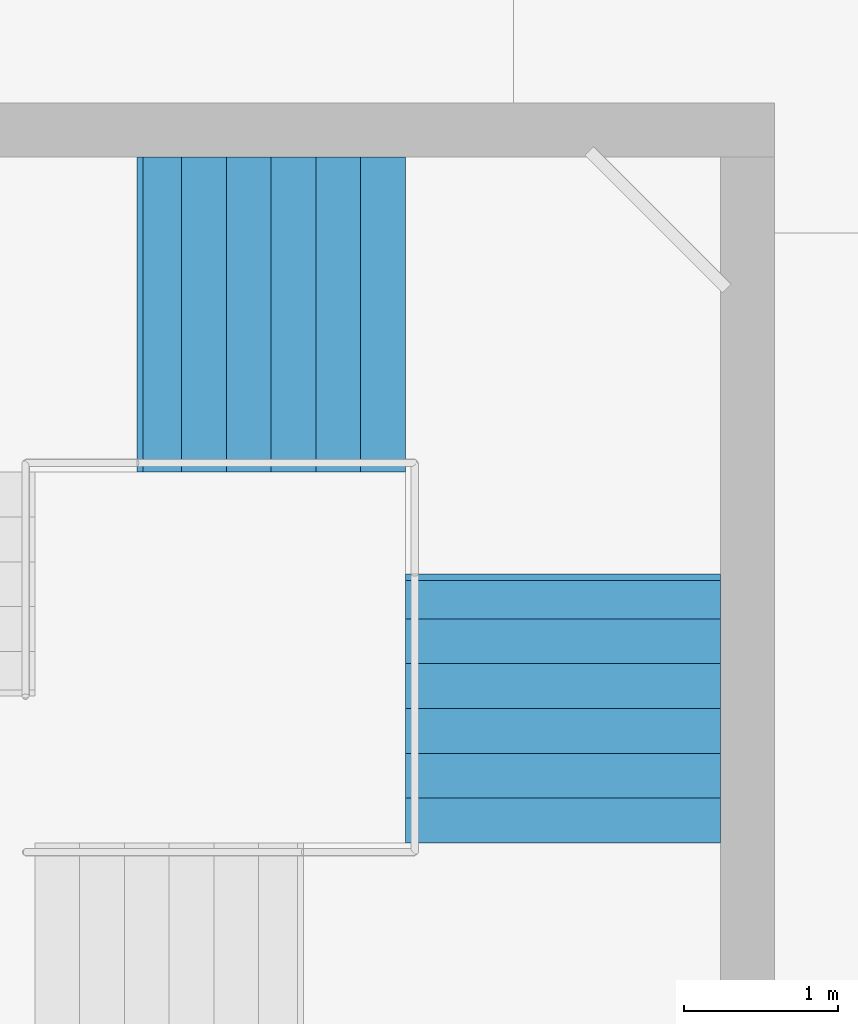
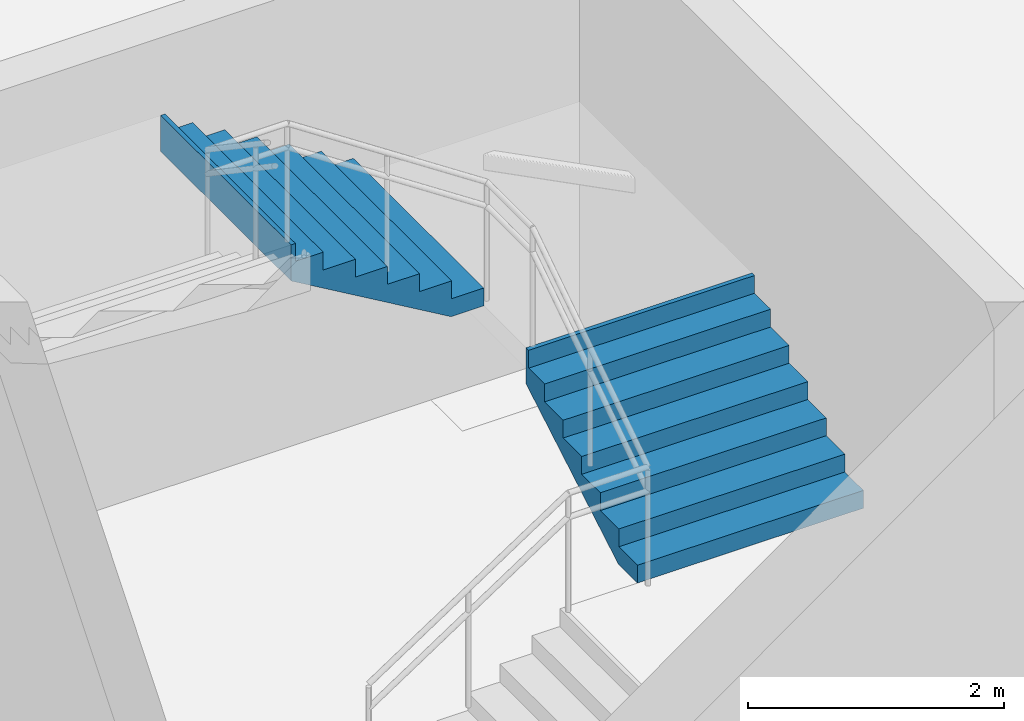
# One storey, part 22 of 30: 2 stair flights, 1 element without a shape of its own.
"""IFC4 building model written with IfcOpenShell, lengths in metres."""

import ifcopenshell
import ifcopenshell.guid

model = None  # the IFC model being written
_history = None  # IfcOwnerHistory: only IFC2X3 demands one
_inside = {}  # id of a spatial element -> (the spatial element, [elements in it])
_under = {}  # id of a project, library or spatial element -> (it, [spatial elements below it])
_declared = {}  # id of a project -> (the project, [libraries it declares])
_typed = {}  # id of a type object -> (the type object, [elements of that type])
_made_of = {}  # id of a material, layer set ... -> (it, [elements and type objects made of it])


def new_model(schema):
    """Start an empty IFC model of exactly this schema.

    Asked for "IFC4X3", IfcOpenShell would pick the latest addendum, in which some entities
    have other attributes; the version numbers below select the first issue.
    IFC2X3 requires an IfcOwnerHistory on every rooted entity: one is made here for all.
    """
    global model, _history
    if schema == "IFC4X3":
        model = ifcopenshell.file(schema_version=(4, 3, 0, 0))
    else:
        model = ifcopenshell.file(schema=schema)
    _inside.clear()
    _under.clear()
    _declared.clear()
    _typed.clear()
    _made_of.clear()
    _history = None
    if model.schema == "IFC2X3":
        org = make("IfcOrganization", Name="unknown")
        user = make(
            "IfcPersonAndOrganization",
            ThePerson=make("IfcPerson", FamilyName="unknown"),
            TheOrganization=org,
        )
        app = make(
            "IfcApplication",
            ApplicationDeveloper=org,
            Version="unknown",
            ApplicationFullName="unknown",
            ApplicationIdentifier="unknown",
        )
        _history = make(
            "IfcOwnerHistory",
            OwningUser=user,
            OwningApplication=app,
            ChangeAction="ADDED",
            CreationDate=0,
        )
    return model


def make(cls, **values):
    """One entity of the class cls with the attributes given. An attribute that is None is left unset."""
    return model.create_entity(
        cls, **{name: value for name, value in values.items() if value is not None}
    )


def rooted(cls, **values):
    """An entity with a GlobalId (a new one), such as an element, a storey or a relation."""
    return make(cls, GlobalId=ifcopenshell.guid.new(), OwnerHistory=_history, **values)


def si_unit(unit_type, name, prefix=None):
    """IfcSIUnit, for example si_unit("LENGTHUNIT", "METRE", prefix="MILLI")."""
    return make("IfcSIUnit", UnitType=unit_type, Prefix=prefix, Name=name)


def assignment(units):
    """IfcUnitAssignment: the units of a project."""
    return None if units is None else make("IfcUnitAssignment", Units=units)


def point(xyz):
    """IfcCartesianPoint."""
    return None if xyz is None else make("IfcCartesianPoint", Coordinates=xyz)


def direction(xyz):
    """IfcDirection."""
    return None if xyz is None else make("IfcDirection", DirectionRatios=xyz)


def frame(location, z_axis=None, x_axis=None):
    """IfcAxis2Placement3D, a coordinate frame: its origin and axes. An axis left out is left unset."""
    return make(
        "IfcAxis2Placement3D",
        Location=point(location),
        Axis=direction(z_axis),
        RefDirection=direction(x_axis),
    )


def origin():
    """The frame at (0, 0, 0) with its axes left unset."""
    return frame((0.0, 0.0, 0.0))


def place(relative_to, where):
    """IfcLocalPlacement: puts the frame where relative to a parent placement (None: the world)."""
    return make(
        "IfcLocalPlacement", PlacementRelTo=relative_to, RelativePlacement=where
    )


def context(
    kind, dimensions, precision=None, world=None, true_north=None, identifier=None
):
    """IfcGeometricRepresentationContext, for example the 3D "Model" context."""
    return make(
        "IfcGeometricRepresentationContext",
        ContextIdentifier=identifier,
        ContextType=kind,
        CoordinateSpaceDimension=dimensions,
        Precision=precision,
        WorldCoordinateSystem=world,
        TrueNorth=true_north,
    )


def subcontext(parent, identifier, kind, view, scale=None):
    """IfcGeometricRepresentationSubContext, for example "Body" below "Model"."""
    return make(
        "IfcGeometricRepresentationSubContext",
        ContextIdentifier=identifier,
        ContextType=kind,
        ParentContext=parent,
        TargetScale=scale,
        TargetView=view,
    )


def project(units=None, contexts=None):
    """IfcProject with its units and contexts."""
    return rooted(
        "IfcProject",
        Name="project",
        RepresentationContexts=contexts,
        UnitsInContext=assignment(units),
    )


def spatial(cls, under=None, at=None, **own):
    """A site, building, storey or space (cls), placed at a placement, below another one or the project."""
    s = rooted(cls, ObjectPlacement=at, **own)
    if under is not None:
        _under.setdefault(under.id(), (under, []))[1].append(s)
    return s


def point_list(points):
    """IfcCartesianPointList2D or 3D."""
    cls = (
        "IfcCartesianPointList2D" if len(points[0]) == 2 else "IfcCartesianPointList3D"
    )
    return make(cls, CoordList=points)


def triangles(points, corners, closed=None, point_numbers=None):
    """IfcTriangulatedFaceSet: each triangle names its three corners, points numbered from 1."""
    return make(
        "IfcTriangulatedFaceSet",
        Coordinates=point_list(points),
        Closed=closed,
        CoordIndex=corners,
        PnIndex=point_numbers,
    )


def shape(context_of_items, identifier, shape_type, items):
    """IfcShapeRepresentation: the items that make up one representation, for example the "Body"."""
    return make(
        "IfcShapeRepresentation",
        ContextOfItems=context_of_items,
        RepresentationIdentifier=identifier,
        RepresentationType=shape_type,
        Items=items,
    )


def material(Name=None, Category=None):
    """IfcMaterial."""
    return make("IfcMaterial", Name=Name, Category=Category)


def made_of(thing, what):
    """Note that an element or type object is made of a material, layer set ...; save() writes the relation."""
    if what is not None:
        _made_of.setdefault(what.id(), (what, []))[1].append(thing)
    return thing


def type_object(cls, material=None, **own):
    """A type object (cls), such as IfcWallType, which elements share."""
    return made_of(rooted(cls, **own), material)


def element(
    cls,
    number,
    at=None,
    inside=None,
    cuts=None,
    type_object=None,
    material=None,
    context=None,
    identifier="Body",
    shape_type=None,
    held_by="IfcProductDefinitionShape",
    body=None,
    shapes=None,
    **own,
):
    """One element of the class cls, such as IfcWall. Its Tag is "e" and its number.

    at: its placement. inside: the storey or other place that contains it. cuts: it is an
    opening in that element (IfcRelVoidsElement). A single representation is given by context,
    identifier, shape_type and body (its items); several are given by shapes. held_by: the class
    of the entity that holds the representations. save() writes the other relations.
    """
    e = rooted(cls, Tag="e%d" % number, ObjectPlacement=at, **own)
    if body is not None:
        shapes = [shape(context, identifier, shape_type, body)]
    if shapes is not None:
        e.Representation = make(held_by, Representations=shapes)
    if inside is not None:
        _inside.setdefault(inside.id(), (inside, []))[1].append(e)
    if cuts is not None:
        rooted(
            "IfcRelVoidsElement", RelatingBuildingElement=cuts, RelatedOpeningElement=e
        )
    if type_object is not None:
        _typed.setdefault(type_object.id(), (type_object, []))[1].append(e)
    return made_of(e, material)


def aggregate(whole, parts):
    """IfcRelAggregates: a whole, such as a stair, and the parts it consists of."""
    return rooted("IfcRelAggregates", RelatingObject=whole, RelatedObjects=parts)


def save(model, path):
    """Write the relations noted so far, then the file.

    IfcRelAggregates (storeys below a building ...), IfcRelContainedInSpatialStructure (elements
    in a storey), IfcRelDefinesByType, IfcRelAssociatesMaterial and IfcRelDeclares: one each for
    every whole, place, type object, material and project.
    """
    for whole, parts in _under.values():
        aggregate(whole, parts)
    for where, things in _inside.values():
        rooted(
            "IfcRelContainedInSpatialStructure",
            RelatedElements=things,
            RelatingStructure=where,
        )
    for kind, things in _typed.values():
        rooted("IfcRelDefinesByType", RelatedObjects=things, RelatingType=kind)
    for what, things in _made_of.values():
        rooted("IfcRelAssociatesMaterial", RelatedObjects=things, RelatingMaterial=what)
    for by, libraries in _declared.values():
        rooted("IfcRelDeclares", RelatingContext=by, RelatedDefinitions=libraries)
    model.write(path)


model = new_model("IFC4")

# Units and contexts
model_context = context("Model", 3, precision=1e-05, world=origin(), true_north=direction((0.0, 1.0)))
body_context = subcontext(model_context, "Body", "Model", "MODEL_VIEW")
ifc_project = project(units=[si_unit("LENGTHUNIT", "METRE"), si_unit("AREAUNIT", "SQUARE_METRE"), si_unit("VOLUMEUNIT", "CUBIC_METRE"), si_unit("PLANEANGLEUNIT", "RADIAN"), si_unit("MASSUNIT", "GRAM", prefix="KILO")], contexts=[model_context])

# Site, building, storey
site_placement = place(None, origin())
site = spatial("IfcSite", under=ifc_project, at=site_placement, CompositionType="ELEMENT")
building_placement = place(site_placement, origin())
building = spatial("IfcBuilding", under=site, at=building_placement, Name="Sillaruma Civic Art Gallery", CompositionType="ELEMENT")
storey_placement = place(building_placement, frame((0.0, 0.0, -9.179931640625)))
storey = spatial("IfcBuildingStorey", under=building, at=storey_placement, Name="B02", CompositionType="ELEMENT", Elevation=-9.179931640625)

# Stair, stair flights
ifc_material = material(Name="Concrete H35 (35 MPa)", Category="concrete")
stair_type = type_object("IfcStairType", Name="STR-4F-27", PredefinedType="USERDEFINED", material=ifc_material)
stair_placement = place(storey_placement, origin())
stair = element("IfcStair", 1, at=stair_placement, inside=storey, type_object=stair_type, Name="Protected Exit Stair ST-04 (East Bar) (B02)", ObjectType="THREE_RETURN_STAIR", PredefinedType="USERDEFINED")
stair_flight_type = type_object("IfcStairFlightType", Name="SFL-STR-7", PredefinedType="STRAIGHT", material=ifc_material)
stair_flight_1_placement = place(storey_placement, frame((104.320068359375, 53.25, 1.18994140625), z_axis=(0.0, 0.0, 1.0), x_axis=(0.0, 1.0, 0.0)))
stair_flight_1 = element("IfcStairFlight", 2, at=stair_flight_1_placement, type_object=stair_flight_type, Name="ST-04 flight 2", NumberOfRisers=7, NumberOfTreads=6, PredefinedType="STRAIGHT", RiserHeight=0.17, TreadLength=0.29, context=body_context, shape_type="Tessellation", body=[
    triangles([(0.0, -1.02001953125, 0.0), (0.29, -1.02001953125, 0.0), (0.296404, -1.02001953125, 0.0), (0.58, -1.02001953125, 0.166246), (0.87, -1.02001953125, 0.336246), (1.16, -1.02001953125, 0.506246), (1.45, -1.02001953125, 0.676246), (1.69999, -1.02001953125, 0.822792), (1.73999, -1.02001953125, 0.84624), (1.73999, -1.02001953125, 1.19), (1.69999, -1.02001953125, 1.19), (1.69999, -1.02001953125, 1.02), (1.45, -1.02001953125, 1.02), (1.45, -1.02001953125, 0.85), (1.16, -1.02001953125, 0.85), (1.16, -1.02001953125, 0.68), (0.87, -1.02001953125, 0.68), (0.87, -1.02001953125, 0.51), (0.58, -1.02001953125, 0.51), (0.58, -1.02001953125, 0.34), (0.296404, -1.02001953125, 0.34), (0.29, -1.02001953125, 0.34), (0.29, -1.02001953125, 0.17), (0.0, -1.02001953125, 0.17), (0.0, -0.05, 0.0), (0.29, -0.05, 0.0), (0.296404, -0.05, 0.0), (0.58, -0.05, 0.166246), (0.87, -0.05, 0.336246), (1.16, -0.05, 0.506246), (1.45, -0.05, 0.676246), (1.69999, -0.05, 0.822792), (1.73999, -0.05, 0.84624), (1.73999, -0.05, 1.19), (1.69999, -0.05, 1.19), (1.69999, -0.05, 1.02), (1.45, -0.05, 1.02), (1.45, -0.05, 0.85), (1.16, -0.05, 0.85), (1.16, -0.05, 0.68), (0.87, -0.05, 0.68), (0.87, -0.05, 0.51), (0.58, -0.05, 0.51), (0.58, -0.05, 0.34), (0.296404, -0.05, 0.34), (0.29, -0.05, 0.34), (0.29, -0.05, 0.17), (0.0, -0.05, 0.17), (0.0, -0.0375, 0.0), (0.29, -0.0375, 0.0), (0.296404, -0.0375, 0.0), (0.58, -0.0375, 0.166246), (0.87, -0.0375, 0.336246), (1.16, -0.0375, 0.506246), (1.45, -0.0375, 0.676246), (1.69999, -0.0375, 0.822792), (1.73999, -0.0375, 0.84624), (1.73999, -0.0375, 1.19), (1.69999, -0.0375, 1.19), (1.69999, -0.0375, 1.02), (1.45, -0.0375, 1.02), (1.45, -0.0375, 0.85), (1.16, -0.0375, 0.85), (1.16, -0.0375, 0.68), (0.87, -0.0375, 0.68), (0.87, -0.0375, 0.51), (0.58, -0.0375, 0.51), (0.58, -0.0375, 0.34), (0.296404, -0.0375, 0.34), (0.29, -0.0375, 0.34), (0.29, -0.0375, 0.17), (0.0, -0.0375, 0.17), (0.0, -0.025, 0.0), (0.29, -0.025, 0.0), (0.296404, -0.025, 0.0), (0.58, -0.025, 0.166246), (0.87, -0.025, 0.336246), (1.16, -0.025, 0.506246), (1.45, -0.025, 0.676246), (1.69999, -0.025, 0.822792), (1.73999, -0.025, 0.84624), (1.73999, -0.025, 1.19), (1.69999, -0.025, 1.19), (1.69999, -0.025, 1.02), (1.45, -0.025, 1.02), (1.45, -0.025, 0.85), (1.16, -0.025, 0.85), (1.16, -0.025, 0.68), (0.87, -0.025, 0.68), (0.87, -0.025, 0.51), (0.58, -0.025, 0.51), (0.58, -0.025, 0.34), (0.296404, -0.025, 0.34), (0.29, -0.025, 0.34), (0.29, -0.025, 0.17), (0.0, -0.025, 0.17), (0.0, -0.0125, 0.0), (0.29, -0.0125, 0.0), (0.296404, -0.0125, 0.0), (0.58, -0.0125, 0.166246), (0.87, -0.0125, 0.336246), (1.16, -0.0125, 0.506246), (1.45, -0.0125, 0.676246), (1.69999, -0.0125, 0.822792), (1.73999, -0.0125, 0.84624), (1.73999, -0.0125, 1.19), (1.69999, -0.0125, 1.19), (1.69999, -0.0125, 1.02), (1.45, -0.0125, 1.02), (1.45, -0.0125, 0.85), (1.16, -0.0125, 0.85), (1.16, -0.0125, 0.68), (0.87, -0.0125, 0.68), (0.87, -0.0125, 0.51), (0.58, -0.0125, 0.51), (0.58, -0.0125, 0.34), (0.296404, -0.0125, 0.34), (0.29, -0.0125, 0.34), (0.29, -0.0125, 0.17), (0.0, -0.0125, 0.17), (0.0, 0.0, 0.0), (0.29, 0.0, 0.0), (0.296404, 0.0, 0.0), (0.58, 0.0, 0.166246), (0.87, 0.0, 0.336246), (1.16, 0.0, 0.506246), (1.45, 0.0, 0.676246), (1.69999, 0.0, 0.822792), (1.73999, 0.0, 0.84624), (1.73999, 0.0, 1.19), (1.69999, 0.0, 1.19), (1.69999, 0.0, 1.02), (1.45, 0.0, 1.02), (1.45, 0.0, 0.85), (1.16, 0.0, 0.85), (1.16, 0.0, 0.68), (0.87, 0.0, 0.68), (0.87, 0.0, 0.51), (0.58, 0.0, 0.51), (0.58, 0.0, 0.34), (0.296404, 0.0, 0.34), (0.29, 0.0, 0.34), (0.29, 0.0, 0.17), (0.0, 0.0, 0.17), (0.0, 0.0125, 0.0), (0.29, 0.0125, 0.0), (0.296404, 0.0125, 0.0), (0.58, 0.0125, 0.166246), (0.87, 0.0125, 0.336246), (1.16, 0.0125, 0.506246), (1.45, 0.0125, 0.676246), (1.69999, 0.0125, 0.822792), (1.73999, 0.0125, 0.84624), (1.73999, 0.0125, 1.19), (1.69999, 0.0125, 1.19), (1.69999, 0.0125, 1.02), (1.45, 0.0125, 1.02), (1.45, 0.0125, 0.85), (1.16, 0.0125, 0.85), (1.16, 0.0125, 0.68), (0.87, 0.0125, 0.68), (0.87, 0.0125, 0.51), (0.58, 0.0125, 0.51), (0.58, 0.0125, 0.34), (0.296404, 0.0125, 0.34), (0.29, 0.0125, 0.34), (0.29, 0.0125, 0.17), (0.0, 0.0125, 0.17), (0.0, 0.025, 0.0), (0.29, 0.025, 0.0), (0.296404, 0.025, 0.0), (0.58, 0.025, 0.166246), (0.87, 0.025, 0.336246), (1.16, 0.025, 0.506246), (1.45, 0.025, 0.676246), (1.69999, 0.025, 0.822792), (1.73999, 0.025, 0.84624), (1.73999, 0.025, 1.19), (1.69999, 0.025, 1.19), (1.69999, 0.025, 1.02), (1.45, 0.025, 1.02), (1.45, 0.025, 0.85), (1.16, 0.025, 0.85), (1.16, 0.025, 0.68), (0.87, 0.025, 0.68), (0.87, 0.025, 0.51), (0.58, 0.025, 0.51), (0.58, 0.025, 0.34), (0.296404, 0.025, 0.34), (0.29, 0.025, 0.34), (0.29, 0.025, 0.17), (0.0, 0.025, 0.17), (0.0, 0.0375, 0.0), (0.29, 0.0375, 0.0), (0.296404, 0.0375, 0.0), (0.58, 0.0375, 0.166246), (0.87, 0.0375, 0.336246), (1.16, 0.0375, 0.506246), (1.45, 0.0375, 0.676246), (1.69999, 0.0375, 0.822792), (1.73999, 0.0375, 0.84624), (1.73999, 0.0375, 1.19), (1.69999, 0.0375, 1.19), (1.69999, 0.0375, 1.02), (1.45, 0.0375, 1.02), (1.45, 0.0375, 0.85), (1.16, 0.0375, 0.85), (1.16, 0.0375, 0.68), (0.87, 0.0375, 0.68), (0.87, 0.0375, 0.51), (0.58, 0.0375, 0.51), (0.58, 0.0375, 0.34), (0.296404, 0.0375, 0.34), (0.29, 0.0375, 0.34), (0.29, 0.0375, 0.17), (0.0, 0.0375, 0.17), (0.0, 0.05, 0.0), (0.29, 0.05, 0.0), (0.296404, 0.05, 0.0), (0.58, 0.05, 0.166246), (0.87, 0.05, 0.336246), (1.16, 0.05, 0.506246), (1.45, 0.05, 0.676246), (1.69999, 0.05, 0.822792), (1.73999, 0.05, 0.84624), (1.73999, 0.05, 1.19), (1.69999, 0.05, 1.19), (1.69999, 0.05, 1.02), (1.45, 0.05, 1.02), (1.45, 0.05, 0.85), (1.16, 0.05, 0.85), (1.16, 0.05, 0.68), (0.87, 0.05, 0.68), (0.87, 0.05, 0.51), (0.58, 0.05, 0.51), (0.58, 0.05, 0.34), (0.296404, 0.05, 0.34), (0.29, 0.05, 0.34), (0.29, 0.05, 0.17), (0.0, 0.05, 0.17), (0.0, 1.02001953125, 0.0), (0.29, 1.02001953125, 0.0), (0.296404, 1.02001953125, 0.0), (0.58, 1.02001953125, 0.166246), (0.87, 1.02001953125, 0.336246), (1.16, 1.02001953125, 0.506246), (1.45, 1.02001953125, 0.676246), (1.69999, 1.02001953125, 0.822792), (1.73999, 1.02001953125, 0.84624), (1.73999, 1.02001953125, 1.19), (1.69999, 1.02001953125, 1.19), (1.69999, 1.02001953125, 1.02), (1.45, 1.02001953125, 1.02), (1.45, 1.02001953125, 0.85), (1.16, 1.02001953125, 0.85), (1.16, 1.02001953125, 0.68), (0.87, 1.02001953125, 0.68), (0.87, 1.02001953125, 0.51), (0.58, 1.02001953125, 0.51), (0.58, 1.02001953125, 0.34), (0.296404, 1.02001953125, 0.34), (0.29, 1.02001953125, 0.34), (0.29, 1.02001953125, 0.17), (0.0, 1.02001953125, 0.17)], [[1, 2, 23], [1, 23, 24], [2, 3, 21], [2, 21, 23], [23, 21, 22], [3, 4, 20], [3, 20, 21], [4, 5, 18], [4, 18, 20], [20, 18, 19], [5, 6, 16], [5, 16, 18], [18, 16, 17], [6, 7, 14], [6, 14, 16], [16, 14, 15], [7, 8, 12], [7, 12, 14], [14, 12, 13], [8, 9, 10], [8, 10, 12], [12, 10, 11], [263, 242, 241], [264, 263, 241], [261, 243, 242], [263, 261, 242], [262, 261, 263], [260, 244, 243], [261, 260, 243], [258, 245, 244], [260, 258, 244], [259, 258, 260], [256, 246, 245], [258, 256, 245], [257, 256, 258], [254, 247, 246], [256, 254, 246], [255, 254, 256], [252, 248, 247], [254, 252, 247], [253, 252, 254], [250, 249, 248], [252, 250, 248], [251, 250, 252], [2, 1, 25], [2, 25, 26], [3, 2, 26], [3, 26, 27], [4, 3, 27], [4, 27, 28], [5, 4, 28], [5, 28, 29], [6, 5, 29], [6, 29, 30], [7, 6, 30], [7, 30, 31], [8, 7, 31], [8, 31, 32], [9, 8, 32], [9, 32, 33], [10, 9, 33], [10, 33, 34], [11, 10, 34], [11, 34, 35], [12, 11, 35], [12, 35, 36], [13, 12, 36], [13, 36, 37], [14, 13, 37], [14, 37, 38], [15, 14, 38], [15, 38, 39], [16, 15, 39], [16, 39, 40], [17, 16, 40], [17, 40, 41], [18, 17, 41], [18, 41, 42], [19, 18, 42], [19, 42, 43], [20, 19, 43], [20, 43, 44], [21, 20, 44], [21, 44, 45], [22, 21, 45], [22, 45, 46], [23, 22, 46], [23, 46, 47], [24, 23, 47], [24, 47, 48], [1, 24, 48], [1, 48, 25], [26, 25, 49], [26, 49, 50], [27, 26, 50], [27, 50, 51], [28, 27, 51], [28, 51, 52], [29, 28, 52], [29, 52, 53], [30, 29, 53], [30, 53, 54], [31, 30, 54], [31, 54, 55], [32, 31, 55], [32, 55, 56], [33, 32, 56], [33, 56, 57], [34, 33, 57], [34, 57, 58], [35, 34, 58], [35, 58, 59], [36, 35, 59], [36, 59, 60], [37, 36, 60], [37, 60, 61], [38, 37, 61], [38, 61, 62], [39, 38, 62], [39, 62, 63], [40, 39, 63], [40, 63, 64], [41, 40, 64], [41, 64, 65], [42, 41, 65], [42, 65, 66], [43, 42, 66], [43, 66, 67], [44, 43, 67], [44, 67, 68], [45, 44, 68], [45, 68, 69], [46, 45, 69], [46, 69, 70], [47, 46, 70], [47, 70, 71], [48, 47, 71], [48, 71, 72], [25, 48, 72], [25, 72, 49], [50, 49, 73], [50, 73, 74], [51, 50, 74], [51, 74, 75], [52, 51, 75], [52, 75, 76], [53, 52, 76], [53, 76, 77], [54, 53, 77], [54, 77, 78], [55, 54, 78], [55, 78, 79], [56, 55, 79], [56, 79, 80], [57, 56, 80], [57, 80, 81], [58, 57, 81], [58, 81, 82], [59, 58, 82], [59, 82, 83], [60, 59, 83], [60, 83, 84], [61, 60, 84], [61, 84, 85], [62, 61, 85], [62, 85, 86], [63, 62, 86], [63, 86, 87], [64, 63, 87], [64, 87, 88], [65, 64, 88], [65, 88, 89], [66, 65, 89], [66, 89, 90], [67, 66, 90], [67, 90, 91], [68, 67, 91], [68, 91, 92], [69, 68, 92], [69, 92, 93], [70, 69, 93], [70, 93, 94], [71, 70, 94], [71, 94, 95], [72, 71, 95], [72, 95, 96], [49, 72, 96], [49, 96, 73], [74, 73, 97], [74, 97, 98], [75, 74, 98], [75, 98, 99], [76, 75, 99], [76, 99, 100], [77, 76, 100], [77, 100, 101], [78, 77, 101], [78, 101, 102], [79, 78, 102], [79, 102, 103], [80, 79, 103], [80, 103, 104], [81, 80, 104], [81, 104, 105], [82, 81, 105], [82, 105, 106], [83, 82, 106], [83, 106, 107], [84, 83, 107], [84, 107, 108], [85, 84, 108], [85, 108, 109], [86, 85, 109], [86, 109, 110], [87, 86, 110], [87, 110, 111], [88, 87, 111], [88, 111, 112], [89, 88, 112], [89, 112, 113], [90, 89, 113], [90, 113, 114], [91, 90, 114], [91, 114, 115], [92, 91, 115], [92, 115, 116], [93, 92, 116], [93, 116, 117], [94, 93, 117], [94, 117, 118], [95, 94, 118], [95, 118, 119], [96, 95, 119], [96, 119, 120], [73, 96, 120], [73, 120, 97], [98, 97, 121], [98, 121, 122], [99, 98, 122], [99, 122, 123], [100, 99, 123], [100, 123, 124], [101, 100, 124], [101, 124, 125], [102, 101, 125], [102, 125, 126], [103, 102, 126], [103, 126, 127], [104, 103, 127], [104, 127, 128], [105, 104, 128], [105, 128, 129], [106, 105, 129], [106, 129, 130], [107, 106, 130], [107, 130, 131], [108, 107, 131], [108, 131, 132], [109, 108, 132], [109, 132, 133], [110, 109, 133], [110, 133, 134], [111, 110, 134], [111, 134, 135], [112, 111, 135], [112, 135, 136], [113, 112, 136], [113, 136, 137], [114, 113, 137], [114, 137, 138], [115, 114, 138], [115, 138, 139], [116, 115, 139], [116, 139, 140], [117, 116, 140], [117, 140, 141], [118, 117, 141], [118, 141, 142], [119, 118, 142], [119, 142, 143], [120, 119, 143], [120, 143, 144], [97, 120, 144], [97, 144, 121], [122, 121, 145], [122, 145, 146], [123, 122, 146], [123, 146, 147], [124, 123, 147], [124, 147, 148], [125, 124, 148], [125, 148, 149], [126, 125, 149], [126, 149, 150], [127, 126, 150], [127, 150, 151], [128, 127, 151], [128, 151, 152], [129, 128, 152], [129, 152, 153], [130, 129, 153], [130, 153, 154], [131, 130, 154], [131, 154, 155], [132, 131, 155], [132, 155, 156], [133, 132, 156], [133, 156, 157], [134, 133, 157], [134, 157, 158], [135, 134, 158], [135, 158, 159], [136, 135, 159], [136, 159, 160], [137, 136, 160], [137, 160, 161], [138, 137, 161], [138, 161, 162], [139, 138, 162], [139, 162, 163], [140, 139, 163], [140, 163, 164], [141, 140, 164], [141, 164, 165], [142, 141, 165], [142, 165, 166], [143, 142, 166], [143, 166, 167], [144, 143, 167], [144, 167, 168], [121, 144, 168], [121, 168, 145], [146, 145, 169], [146, 169, 170], [147, 146, 170], [147, 170, 171], [148, 147, 171], [148, 171, 172], [149, 148, 172], [149, 172, 173], [150, 149, 173], [150, 173, 174], [151, 150, 174], [151, 174, 175], [152, 151, 175], [152, 175, 176], [153, 152, 176], [153, 176, 177], [154, 153, 177], [154, 177, 178], [155, 154, 178], [155, 178, 179], [156, 155, 179], [156, 179, 180], [157, 156, 180], [157, 180, 181], [158, 157, 181], [158, 181, 182], [159, 158, 182], [159, 182, 183], [160, 159, 183], [160, 183, 184], [161, 160, 184], [161, 184, 185], [162, 161, 185], [162, 185, 186], [163, 162, 186], [163, 186, 187], [164, 163, 187], [164, 187, 188], [165, 164, 188], [165, 188, 189], [166, 165, 189], [166, 189, 190], [167, 166, 190], [167, 190, 191], [168, 167, 191], [168, 191, 192], [145, 168, 192], [145, 192, 169], [170, 169, 193], [170, 193, 194], [171, 170, 194], [171, 194, 195], [172, 171, 195], [172, 195, 196], [173, 172, 196], [173, 196, 197], [174, 173, 197], [174, 197, 198], [175, 174, 198], [175, 198, 199], [176, 175, 199], [176, 199, 200], [177, 176, 200], [177, 200, 201], [178, 177, 201], [178, 201, 202], [179, 178, 202], [179, 202, 203], [180, 179, 203], [180, 203, 204], [181, 180, 204], [181, 204, 205], [182, 181, 205], [182, 205, 206], [183, 182, 206], [183, 206, 207], [184, 183, 207], [184, 207, 208], [185, 184, 208], [185, 208, 209], [186, 185, 209], [186, 209, 210], [187, 186, 210], [187, 210, 211], [188, 187, 211], [188, 211, 212], [189, 188, 212], [189, 212, 213], [190, 189, 213], [190, 213, 214], [191, 190, 214], [191, 214, 215], [192, 191, 215], [192, 215, 216], [169, 192, 216], [169, 216, 193], [194, 193, 217], [194, 217, 218], [195, 194, 218], [195, 218, 219], [196, 195, 219], [196, 219, 220], [197, 196, 220], [197, 220, 221], [198, 197, 221], [198, 221, 222], [199, 198, 222], [199, 222, 223], [200, 199, 223], [200, 223, 224], [201, 200, 224], [201, 224, 225], [202, 201, 225], [202, 225, 226], [203, 202, 226], [203, 226, 227], [204, 203, 227], [204, 227, 228], [205, 204, 228], [205, 228, 229], [206, 205, 229], [206, 229, 230], [207, 206, 230], [207, 230, 231], [208, 207, 231], [208, 231, 232], [209, 208, 232], [209, 232, 233], [210, 209, 233], [210, 233, 234], [211, 210, 234], [211, 234, 235], [212, 211, 235], [212, 235, 236], [213, 212, 236], [213, 236, 237], [214, 213, 237], [214, 237, 238], [215, 214, 238], [215, 238, 239], [216, 215, 239], [216, 239, 240], [193, 216, 240], [193, 240, 217], [218, 217, 241], [218, 241, 242], [219, 218, 242], [219, 242, 243], [220, 219, 243], [220, 243, 244], [221, 220, 244], [221, 244, 245], [222, 221, 245], [222, 245, 246], [223, 222, 246], [223, 246, 247], [224, 223, 247], [224, 247, 248], [225, 224, 248], [225, 248, 249], [226, 225, 249], [226, 249, 250], [227, 226, 250], [227, 250, 251], [228, 227, 251], [228, 251, 252], [229, 228, 252], [229, 252, 253], [230, 229, 253], [230, 253, 254], [231, 230, 254], [231, 254, 255], [232, 231, 255], [232, 255, 256], [233, 232, 256], [233, 256, 257], [234, 233, 257], [234, 257, 258], [235, 234, 258], [235, 258, 259], [236, 235, 259], [236, 259, 260], [237, 236, 260], [237, 260, 261], [238, 237, 261], [238, 261, 262], [239, 238, 262], [239, 262, 263], [240, 239, 263], [240, 263, 264], [217, 240, 264], [217, 264, 241]], closed=True),
])
stair_flight_2_placement = place(storey_placement, frame((103.300048828125, 56.669921875, 2.3798828125), z_axis=(0.0, 0.0, 1.0), x_axis=(-1.0, 0.0, 0.0)))
stair_flight_2 = element("IfcStairFlight", 3, at=stair_flight_2_placement, type_object=stair_flight_type, Name="ST-04 flight 3", NumberOfRisers=7, NumberOfTreads=6, PredefinedType="STRAIGHT", RiserHeight=0.17, TreadLength=0.29, context=body_context, shape_type="Tessellation", body=[
    triangles([(0.0, -1.02001953125, 0.0), (0.29, -1.02001953125, 0.0), (0.296404, -1.02001953125, 0.0), (0.58, -1.02001953125, 0.166246), (0.87, -1.02001953125, 0.336246), (1.16, -1.02001953125, 0.506246), (1.45, -1.02001953125, 0.676246), (1.69999, -1.02001953125, 0.822792), (1.73999, -1.02001953125, 0.84624), (1.73999, -1.02001953125, 1.19), (1.69999, -1.02001953125, 1.19), (1.69999, -1.02001953125, 1.02), (1.45, -1.02001953125, 1.02), (1.45, -1.02001953125, 0.85), (1.16, -1.02001953125, 0.85), (1.16, -1.02001953125, 0.68), (0.87, -1.02001953125, 0.68), (0.87, -1.02001953125, 0.51), (0.58, -1.02001953125, 0.51), (0.58, -1.02001953125, 0.34), (0.296404, -1.02001953125, 0.34), (0.29, -1.02001953125, 0.34), (0.29, -1.02001953125, 0.17), (0.0, -1.02001953125, 0.17), (0.0, -0.05, 0.0), (0.29, -0.05, 0.0), (0.296404, -0.05, 0.0), (0.58, -0.05, 0.166246), (0.87, -0.05, 0.336246), (1.16, -0.05, 0.506246), (1.45, -0.05, 0.676246), (1.69999, -0.05, 0.822792), (1.73999, -0.05, 0.84624), (1.73999, -0.05, 1.19), (1.69999, -0.05, 1.19), (1.69999, -0.05, 1.02), (1.45, -0.05, 1.02), (1.45, -0.05, 0.85), (1.16, -0.05, 0.85), (1.16, -0.05, 0.68), (0.87, -0.05, 0.68), (0.87, -0.05, 0.51), (0.58, -0.05, 0.51), (0.58, -0.05, 0.34), (0.296404, -0.05, 0.34), (0.29, -0.05, 0.34), (0.29, -0.05, 0.17), (0.0, -0.05, 0.17), (0.0, -0.0375, 0.0), (0.29, -0.0375, 0.0), (0.296404, -0.0375, 0.0), (0.58, -0.0375, 0.166246), (0.87, -0.0375, 0.336246), (1.16, -0.0375, 0.506246), (1.45, -0.0375, 0.676246), (1.69999, -0.0375, 0.822792), (1.73999, -0.0375, 0.84624), (1.73999, -0.0375, 1.19), (1.69999, -0.0375, 1.19), (1.69999, -0.0375, 1.02), (1.45, -0.0375, 1.02), (1.45, -0.0375, 0.85), (1.16, -0.0375, 0.85), (1.16, -0.0375, 0.68), (0.87, -0.0375, 0.68), (0.87, -0.0375, 0.51), (0.58, -0.0375, 0.51), (0.58, -0.0375, 0.34), (0.296404, -0.0375, 0.34), (0.29, -0.0375, 0.34), (0.29, -0.0375, 0.17), (0.0, -0.0375, 0.17), (0.0, -0.025, 0.0), (0.29, -0.025, 0.0), (0.296404, -0.025, 0.0), (0.58, -0.025, 0.166246), (0.87, -0.025, 0.336246), (1.16, -0.025, 0.506246), (1.45, -0.025, 0.676246), (1.69999, -0.025, 0.822792), (1.73999, -0.025, 0.84624), (1.73999, -0.025, 1.19), (1.69999, -0.025, 1.19), (1.69999, -0.025, 1.02), (1.45, -0.025, 1.02), (1.45, -0.025, 0.85), (1.16, -0.025, 0.85), (1.16, -0.025, 0.68), (0.87, -0.025, 0.68), (0.87, -0.025, 0.51), (0.58, -0.025, 0.51), (0.58, -0.025, 0.34), (0.296404, -0.025, 0.34), (0.29, -0.025, 0.34), (0.29, -0.025, 0.17), (0.0, -0.025, 0.17), (0.0, -0.0125, 0.0), (0.29, -0.0125, 0.0), (0.296404, -0.0125, 0.0), (0.58, -0.0125, 0.166246), (0.87, -0.0125, 0.336246), (1.16, -0.0125, 0.506246), (1.45, -0.0125, 0.676246), (1.69999, -0.0125, 0.822792), (1.73999, -0.0125, 0.84624), (1.73999, -0.0125, 1.19), (1.69999, -0.0125, 1.19), (1.69999, -0.0125, 1.02), (1.45, -0.0125, 1.02), (1.45, -0.0125, 0.85), (1.16, -0.0125, 0.85), (1.16, -0.0125, 0.68), (0.87, -0.0125, 0.68), (0.87, -0.0125, 0.51), (0.58, -0.0125, 0.51), (0.58, -0.0125, 0.34), (0.296404, -0.0125, 0.34), (0.29, -0.0125, 0.34), (0.29, -0.0125, 0.17), (0.0, -0.0125, 0.17), (0.0, 0.0, 0.0), (0.29, 0.0, 0.0), (0.296404, 0.0, 0.0), (0.58, 0.0, 0.166246), (0.87, 0.0, 0.336246), (1.16, 0.0, 0.506246), (1.45, 0.0, 0.676246), (1.69999, 0.0, 0.822792), (1.73999, 0.0, 0.84624), (1.73999, 0.0, 1.19), (1.69999, 0.0, 1.19), (1.69999, 0.0, 1.02), (1.45, 0.0, 1.02), (1.45, 0.0, 0.85), (1.16, 0.0, 0.85), (1.16, 0.0, 0.68), (0.87, 0.0, 0.68), (0.87, 0.0, 0.51), (0.58, 0.0, 0.51), (0.58, 0.0, 0.34), (0.296404, 0.0, 0.34), (0.29, 0.0, 0.34), (0.29, 0.0, 0.17), (0.0, 0.0, 0.17), (0.0, 0.0125, 0.0), (0.29, 0.0125, 0.0), (0.296404, 0.0125, 0.0), (0.58, 0.0125, 0.166246), (0.87, 0.0125, 0.336246), (1.16, 0.0125, 0.506246), (1.45, 0.0125, 0.676246), (1.69999, 0.0125, 0.822792), (1.73999, 0.0125, 0.84624), (1.73999, 0.0125, 1.19), (1.69999, 0.0125, 1.19), (1.69999, 0.0125, 1.02), (1.45, 0.0125, 1.02), (1.45, 0.0125, 0.85), (1.16, 0.0125, 0.85), (1.16, 0.0125, 0.68), (0.87, 0.0125, 0.68), (0.87, 0.0125, 0.51), (0.58, 0.0125, 0.51), (0.58, 0.0125, 0.34), (0.296404, 0.0125, 0.34), (0.29, 0.0125, 0.34), (0.29, 0.0125, 0.17), (0.0, 0.0125, 0.17), (0.0, 0.025, 0.0), (0.29, 0.025, 0.0), (0.296404, 0.025, 0.0), (0.58, 0.025, 0.166246), (0.87, 0.025, 0.336246), (1.16, 0.025, 0.506246), (1.45, 0.025, 0.676246), (1.69999, 0.025, 0.822792), (1.73999, 0.025, 0.84624), (1.73999, 0.025, 1.19), (1.69999, 0.025, 1.19), (1.69999, 0.025, 1.02), (1.45, 0.025, 1.02), (1.45, 0.025, 0.85), (1.16, 0.025, 0.85), (1.16, 0.025, 0.68), (0.87, 0.025, 0.68), (0.87, 0.025, 0.51), (0.58, 0.025, 0.51), (0.58, 0.025, 0.34), (0.296404, 0.025, 0.34), (0.29, 0.025, 0.34), (0.29, 0.025, 0.17), (0.0, 0.025, 0.17), (0.0, 0.0375, 0.0), (0.29, 0.0375, 0.0), (0.296404, 0.0375, 0.0), (0.58, 0.0375, 0.166246), (0.87, 0.0375, 0.336246), (1.16, 0.0375, 0.506246), (1.45, 0.0375, 0.676246), (1.69999, 0.0375, 0.822792), (1.73999, 0.0375, 0.84624), (1.73999, 0.0375, 1.19), (1.69999, 0.0375, 1.19), (1.69999, 0.0375, 1.02), (1.45, 0.0375, 1.02), (1.45, 0.0375, 0.85), (1.16, 0.0375, 0.85), (1.16, 0.0375, 0.68), (0.87, 0.0375, 0.68), (0.87, 0.0375, 0.51), (0.58, 0.0375, 0.51), (0.58, 0.0375, 0.34), (0.296404, 0.0375, 0.34), (0.29, 0.0375, 0.34), (0.29, 0.0375, 0.17), (0.0, 0.0375, 0.17), (0.0, 0.05, 0.0), (0.29, 0.05, 0.0), (0.296404, 0.05, 0.0), (0.58, 0.05, 0.166246), (0.87, 0.05, 0.336246), (1.16, 0.05, 0.506246), (1.45, 0.05, 0.676246), (1.69999, 0.05, 0.822792), (1.73999, 0.05, 0.84624), (1.73999, 0.05, 1.19), (1.69999, 0.05, 1.19), (1.69999, 0.05, 1.02), (1.45, 0.05, 1.02), (1.45, 0.05, 0.85), (1.16, 0.05, 0.85), (1.16, 0.05, 0.68), (0.87, 0.05, 0.68), (0.87, 0.05, 0.51), (0.58, 0.05, 0.51), (0.58, 0.05, 0.34), (0.296404, 0.05, 0.34), (0.29, 0.05, 0.34), (0.29, 0.05, 0.17), (0.0, 0.05, 0.17), (0.0, 1.02001953125, 0.0), (0.29, 1.02001953125, 0.0), (0.296404, 1.02001953125, 0.0), (0.58, 1.02001953125, 0.166246), (0.87, 1.02001953125, 0.336246), (1.16, 1.02001953125, 0.506246), (1.45, 1.02001953125, 0.676246), (1.69999, 1.02001953125, 0.822792), (1.73999, 1.02001953125, 0.84624), (1.73999, 1.02001953125, 1.19), (1.69999, 1.02001953125, 1.19), (1.69999, 1.02001953125, 1.02), (1.45, 1.02001953125, 1.02), (1.45, 1.02001953125, 0.85), (1.16, 1.02001953125, 0.85), (1.16, 1.02001953125, 0.68), (0.87, 1.02001953125, 0.68), (0.87, 1.02001953125, 0.51), (0.58, 1.02001953125, 0.51), (0.58, 1.02001953125, 0.34), (0.296404, 1.02001953125, 0.34), (0.29, 1.02001953125, 0.34), (0.29, 1.02001953125, 0.17), (0.0, 1.02001953125, 0.17)], [[1, 2, 23], [1, 23, 24], [2, 3, 21], [2, 21, 23], [23, 21, 22], [3, 4, 20], [3, 20, 21], [4, 5, 18], [4, 18, 20], [20, 18, 19], [5, 6, 16], [5, 16, 18], [18, 16, 17], [6, 7, 14], [6, 14, 16], [16, 14, 15], [7, 8, 12], [7, 12, 14], [14, 12, 13], [8, 9, 10], [8, 10, 12], [12, 10, 11], [263, 242, 241], [264, 263, 241], [261, 243, 242], [263, 261, 242], [262, 261, 263], [260, 244, 243], [261, 260, 243], [258, 245, 244], [260, 258, 244], [259, 258, 260], [256, 246, 245], [258, 256, 245], [257, 256, 258], [254, 247, 246], [256, 254, 246], [255, 254, 256], [252, 248, 247], [254, 252, 247], [253, 252, 254], [250, 249, 248], [252, 250, 248], [251, 250, 252], [2, 1, 25], [2, 25, 26], [3, 2, 26], [3, 26, 27], [4, 3, 27], [4, 27, 28], [5, 4, 28], [5, 28, 29], [6, 5, 29], [6, 29, 30], [7, 6, 30], [7, 30, 31], [8, 7, 31], [8, 31, 32], [9, 8, 32], [9, 32, 33], [10, 9, 33], [10, 33, 34], [11, 10, 34], [11, 34, 35], [12, 11, 35], [12, 35, 36], [13, 12, 36], [13, 36, 37], [14, 13, 37], [14, 37, 38], [15, 14, 38], [15, 38, 39], [16, 15, 39], [16, 39, 40], [17, 16, 40], [17, 40, 41], [18, 17, 41], [18, 41, 42], [19, 18, 42], [19, 42, 43], [20, 19, 43], [20, 43, 44], [21, 20, 44], [21, 44, 45], [22, 21, 45], [22, 45, 46], [23, 22, 46], [23, 46, 47], [24, 23, 47], [24, 47, 48], [1, 24, 48], [1, 48, 25], [26, 25, 49], [26, 49, 50], [27, 26, 50], [27, 50, 51], [28, 27, 51], [28, 51, 52], [29, 28, 52], [29, 52, 53], [30, 29, 53], [30, 53, 54], [31, 30, 54], [31, 54, 55], [32, 31, 55], [32, 55, 56], [33, 32, 56], [33, 56, 57], [34, 33, 57], [34, 57, 58], [35, 34, 58], [35, 58, 59], [36, 35, 59], [36, 59, 60], [37, 36, 60], [37, 60, 61], [38, 37, 61], [38, 61, 62], [39, 38, 62], [39, 62, 63], [40, 39, 63], [40, 63, 64], [41, 40, 64], [41, 64, 65], [42, 41, 65], [42, 65, 66], [43, 42, 66], [43, 66, 67], [44, 43, 67], [44, 67, 68], [45, 44, 68], [45, 68, 69], [46, 45, 69], [46, 69, 70], [47, 46, 70], [47, 70, 71], [48, 47, 71], [48, 71, 72], [25, 48, 72], [25, 72, 49], [50, 49, 73], [50, 73, 74], [51, 50, 74], [51, 74, 75], [52, 51, 75], [52, 75, 76], [53, 52, 76], [53, 76, 77], [54, 53, 77], [54, 77, 78], [55, 54, 78], [55, 78, 79], [56, 55, 79], [56, 79, 80], [57, 56, 80], [57, 80, 81], [58, 57, 81], [58, 81, 82], [59, 58, 82], [59, 82, 83], [60, 59, 83], [60, 83, 84], [61, 60, 84], [61, 84, 85], [62, 61, 85], [62, 85, 86], [63, 62, 86], [63, 86, 87], [64, 63, 87], [64, 87, 88], [65, 64, 88], [65, 88, 89], [66, 65, 89], [66, 89, 90], [67, 66, 90], [67, 90, 91], [68, 67, 91], [68, 91, 92], [69, 68, 92], [69, 92, 93], [70, 69, 93], [70, 93, 94], [71, 70, 94], [71, 94, 95], [72, 71, 95], [72, 95, 96], [49, 72, 96], [49, 96, 73], [74, 73, 97], [74, 97, 98], [75, 74, 98], [75, 98, 99], [76, 75, 99], [76, 99, 100], [77, 76, 100], [77, 100, 101], [78, 77, 101], [78, 101, 102], [79, 78, 102], [79, 102, 103], [80, 79, 103], [80, 103, 104], [81, 80, 104], [81, 104, 105], [82, 81, 105], [82, 105, 106], [83, 82, 106], [83, 106, 107], [84, 83, 107], [84, 107, 108], [85, 84, 108], [85, 108, 109], [86, 85, 109], [86, 109, 110], [87, 86, 110], [87, 110, 111], [88, 87, 111], [88, 111, 112], [89, 88, 112], [89, 112, 113], [90, 89, 113], [90, 113, 114], [91, 90, 114], [91, 114, 115], [92, 91, 115], [92, 115, 116], [93, 92, 116], [93, 116, 117], [94, 93, 117], [94, 117, 118], [95, 94, 118], [95, 118, 119], [96, 95, 119], [96, 119, 120], [73, 96, 120], [73, 120, 97], [98, 97, 121], [98, 121, 122], [99, 98, 122], [99, 122, 123], [100, 99, 123], [100, 123, 124], [101, 100, 124], [101, 124, 125], [102, 101, 125], [102, 125, 126], [103, 102, 126], [103, 126, 127], [104, 103, 127], [104, 127, 128], [105, 104, 128], [105, 128, 129], [106, 105, 129], [106, 129, 130], [107, 106, 130], [107, 130, 131], [108, 107, 131], [108, 131, 132], [109, 108, 132], [109, 132, 133], [110, 109, 133], [110, 133, 134], [111, 110, 134], [111, 134, 135], [112, 111, 135], [112, 135, 136], [113, 112, 136], [113, 136, 137], [114, 113, 137], [114, 137, 138], [115, 114, 138], [115, 138, 139], [116, 115, 139], [116, 139, 140], [117, 116, 140], [117, 140, 141], [118, 117, 141], [118, 141, 142], [119, 118, 142], [119, 142, 143], [120, 119, 143], [120, 143, 144], [97, 120, 144], [97, 144, 121], [122, 121, 145], [122, 145, 146], [123, 122, 146], [123, 146, 147], [124, 123, 147], [124, 147, 148], [125, 124, 148], [125, 148, 149], [126, 125, 149], [126, 149, 150], [127, 126, 150], [127, 150, 151], [128, 127, 151], [128, 151, 152], [129, 128, 152], [129, 152, 153], [130, 129, 153], [130, 153, 154], [131, 130, 154], [131, 154, 155], [132, 131, 155], [132, 155, 156], [133, 132, 156], [133, 156, 157], [134, 133, 157], [134, 157, 158], [135, 134, 158], [135, 158, 159], [136, 135, 159], [136, 159, 160], [137, 136, 160], [137, 160, 161], [138, 137, 161], [138, 161, 162], [139, 138, 162], [139, 162, 163], [140, 139, 163], [140, 163, 164], [141, 140, 164], [141, 164, 165], [142, 141, 165], [142, 165, 166], [143, 142, 166], [143, 166, 167], [144, 143, 167], [144, 167, 168], [121, 144, 168], [121, 168, 145], [146, 145, 169], [146, 169, 170], [147, 146, 170], [147, 170, 171], [148, 147, 171], [148, 171, 172], [149, 148, 172], [149, 172, 173], [150, 149, 173], [150, 173, 174], [151, 150, 174], [151, 174, 175], [152, 151, 175], [152, 175, 176], [153, 152, 176], [153, 176, 177], [154, 153, 177], [154, 177, 178], [155, 154, 178], [155, 178, 179], [156, 155, 179], [156, 179, 180], [157, 156, 180], [157, 180, 181], [158, 157, 181], [158, 181, 182], [159, 158, 182], [159, 182, 183], [160, 159, 183], [160, 183, 184], [161, 160, 184], [161, 184, 185], [162, 161, 185], [162, 185, 186], [163, 162, 186], [163, 186, 187], [164, 163, 187], [164, 187, 188], [165, 164, 188], [165, 188, 189], [166, 165, 189], [166, 189, 190], [167, 166, 190], [167, 190, 191], [168, 167, 191], [168, 191, 192], [145, 168, 192], [145, 192, 169], [170, 169, 193], [170, 193, 194], [171, 170, 194], [171, 194, 195], [172, 171, 195], [172, 195, 196], [173, 172, 196], [173, 196, 197], [174, 173, 197], [174, 197, 198], [175, 174, 198], [175, 198, 199], [176, 175, 199], [176, 199, 200], [177, 176, 200], [177, 200, 201], [178, 177, 201], [178, 201, 202], [179, 178, 202], [179, 202, 203], [180, 179, 203], [180, 203, 204], [181, 180, 204], [181, 204, 205], [182, 181, 205], [182, 205, 206], [183, 182, 206], [183, 206, 207], [184, 183, 207], [184, 207, 208], [185, 184, 208], [185, 208, 209], [186, 185, 209], [186, 209, 210], [187, 186, 210], [187, 210, 211], [188, 187, 211], [188, 211, 212], [189, 188, 212], [189, 212, 213], [190, 189, 213], [190, 213, 214], [191, 190, 214], [191, 214, 215], [192, 191, 215], [192, 215, 216], [169, 192, 216], [169, 216, 193], [194, 193, 217], [194, 217, 218], [195, 194, 218], [195, 218, 219], [196, 195, 219], [196, 219, 220], [197, 196, 220], [197, 220, 221], [198, 197, 221], [198, 221, 222], [199, 198, 222], [199, 222, 223], [200, 199, 223], [200, 223, 224], [201, 200, 224], [201, 224, 225], [202, 201, 225], [202, 225, 226], [203, 202, 226], [203, 226, 227], [204, 203, 227], [204, 227, 228], [205, 204, 228], [205, 228, 229], [206, 205, 229], [206, 229, 230], [207, 206, 230], [207, 230, 231], [208, 207, 231], [208, 231, 232], [209, 208, 232], [209, 232, 233], [210, 209, 233], [210, 233, 234], [211, 210, 234], [211, 234, 235], [212, 211, 235], [212, 235, 236], [213, 212, 236], [213, 236, 237], [214, 213, 237], [214, 237, 238], [215, 214, 238], [215, 238, 239], [216, 215, 239], [216, 239, 240], [193, 216, 240], [193, 240, 217], [218, 217, 241], [218, 241, 242], [219, 218, 242], [219, 242, 243], [220, 219, 243], [220, 243, 244], [221, 220, 244], [221, 244, 245], [222, 221, 245], [222, 245, 246], [223, 222, 246], [223, 246, 247], [224, 223, 247], [224, 247, 248], [225, 224, 248], [225, 248, 249], [226, 225, 249], [226, 249, 250], [227, 226, 250], [227, 250, 251], [228, 227, 251], [228, 251, 252], [229, 228, 252], [229, 252, 253], [230, 229, 253], [230, 253, 254], [231, 230, 254], [231, 254, 255], [232, 231, 255], [232, 255, 256], [233, 232, 256], [233, 256, 257], [234, 233, 257], [234, 257, 258], [235, 234, 258], [235, 258, 259], [236, 235, 259], [236, 259, 260], [237, 236, 260], [237, 260, 261], [238, 237, 261], [238, 261, 262], [239, 238, 262], [239, 262, 263], [240, 239, 263], [240, 263, 264], [217, 240, 264], [217, 264, 241]], closed=True),
])
aggregate(stair, [stair_flight_1, stair_flight_2])

save(model, "model.ifc")
